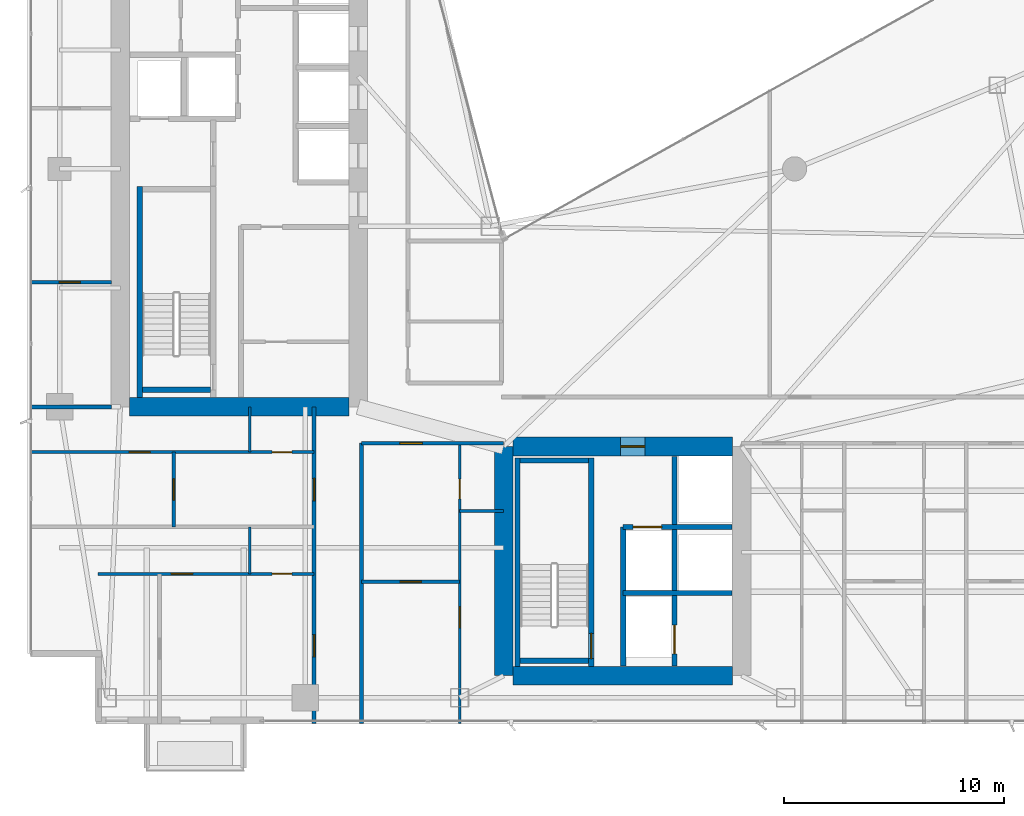
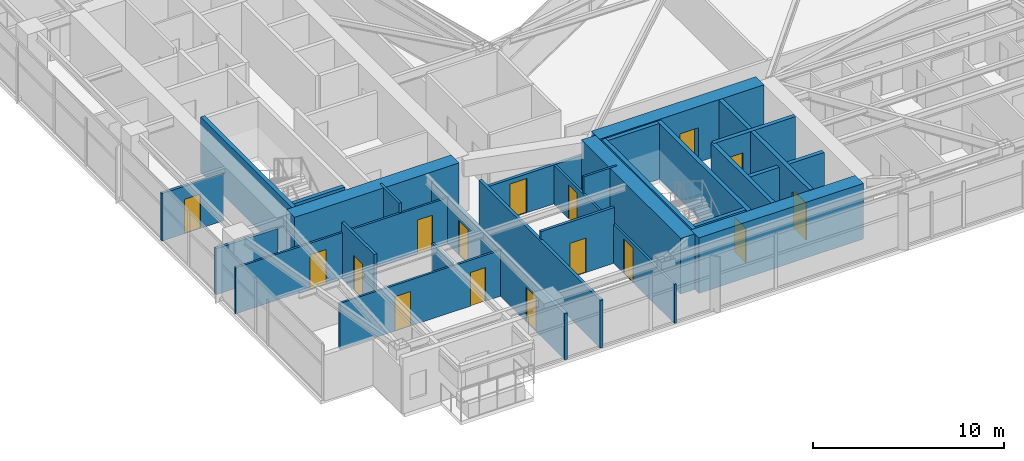
# One storey, part 22 of 29: 27 walls, 16 doors, 16 openings.
"""IFC4 building model written with IfcOpenShell, lengths in metres."""

from ifc_helpers import new_model, si_unit, direction, frame, frame_2d, origin, place, context, subcontext, project, spatial, rectangle, extrude, material, layer, layer_set, type_object, element, fill, save


model = new_model("IFC4")

# Units and contexts
model_context = context("Model", 3, precision=1e-05, world=origin(), true_north=direction((0.0, 1.0)))
body_context = subcontext(model_context, "Body", "Model", "MODEL_VIEW")
ifc_project = project(units=[si_unit("LENGTHUNIT", "METRE"), si_unit("AREAUNIT", "SQUARE_METRE"), si_unit("VOLUMEUNIT", "CUBIC_METRE"), si_unit("PLANEANGLEUNIT", "RADIAN"), si_unit("MASSUNIT", "GRAM", prefix="KILO")], contexts=[model_context])

# Site, building, storey
site_placement = place(None, origin())
site = spatial("IfcSite", under=ifc_project, at=site_placement, CompositionType="ELEMENT")
building_placement = place(site_placement, origin())
building = spatial("IfcBuilding", under=site, at=building_placement, Name="Calvorn Quay Hotel", CompositionType="ELEMENT")
storey_placement = place(building_placement, frame((0.0, 0.0, 167.5)))
storey = spatial("IfcBuildingStorey", under=building, at=storey_placement, Name="L41", CompositionType="ELEMENT", Elevation=167.5)

# Walls
ifc_material_1 = material(Name="Concrete C50", Category="concrete")
ifc_layer_1 = layer(ifc_material_1, 0.85009765625)
ifc_layer_set_1 = layer_set([ifc_layer_1], Name="WL-CORE-850")
wall_type_1 = type_object("IfcWallType", Name="WL-CORE-850", PredefinedType="SHEAR", material=ifc_layer_set_1)
wall_1_placement = place(storey_placement, frame((4.625, 16.800048828125, 0.0), z_axis=(0.0, 0.0, 1.0), x_axis=(1.0, 0.0, 0.0)))
element("IfcWall", 1, at=wall_1_placement, inside=storey, type_object=wall_type_1, Name="West Core Shear Wall S (L41)", PredefinedType="SHEAR", context=body_context, shape_type="SweptSolid", body=[
    extrude(rectangle(XDim=9.949951171875, YDim=0.85009765625, at=frame_2d((4.97509765625, 0.0))), origin(), (0.0, 0.0, 1.0), 3.56005859375),
])
wall_2_placement = place(storey_placement, frame((21.60009765625, 4.60009765625, 0.0), z_axis=(0.0, 0.0, 1.0), x_axis=(0.0, 1.0, 0.0)))
element("IfcWall", 2, at=wall_2_placement, inside=storey, type_object=wall_type_1, Name="East Core Shear Wall W (L41)", PredefinedType="SHEAR", context=body_context, shape_type="SweptSolid", body=[
    extrude(rectangle(XDim=10.39990234375, YDim=0.85009765625, at=frame_2d((5.199951171875, 0.0))), origin(), (0.0, 0.0, 1.0), 3.56005859375),
])

# Wall, opening, door
wall_3_placement = place(storey_placement, frame((22.02490234375, 15.0, 0.0), z_axis=(0.0, 0.0, 1.0), x_axis=(1.0, 0.0, 0.0)))
wall_3 = element("IfcWall", 3, at=wall_3_placement, inside=storey, type_object=wall_type_1, Name="East Core Shear Wall N (L41)", PredefinedType="SHEAR", context=body_context, shape_type="SweptSolid", body=[
    extrude(rectangle(XDim=9.9501953125, YDim=0.85009765625, at=frame_2d((4.97509765625, 0.0))), origin(), (0.0, 0.0, 1.0), 3.56005859375),
])
opening_1_placement = place(wall_3_placement, frame((4.8798828125, 0.0, 0.0)))
opening_1 = element("IfcOpeningElement", 4, at=opening_1_placement, cuts=wall_3, Name="Opening D-L41-FLE", PredefinedType="OPENING", context=body_context, shape_type="SweptSolid", body=[
    extrude(rectangle(XDim=1.10009765625, YDim=2.199951171875, at=frame_2d((0.550048828125, 1.10009765625))), frame((0.0, 0.43505859375, 0.0), z_axis=(0.0, -1.0, 0.0), x_axis=(1.0, 0.0, 0.0)), (0.0, 0.0, 1.0), 0.8701171875),
])
ifc_material_2 = material(Name="Smoke-Sealed Steel Class A Fire Door", Category="steel")
door_type_1 = type_object("IfcDoorType", Name="DR-FFLOBBY-1100", OperationType="NOTDEFINED", PredefinedType="DOOR", material=ifc_material_2)
door_1_placement = place(opening_1_placement, origin())
door_1 = element("IfcDoor", 5, at=door_1_placement, inside=storey, type_object=door_type_1, Name="East Firefighting Lobby Fire Door (L41)", OperationType="SINGLE_SWING_LEFT", OverallHeight=2.199951171875, OverallWidth=1.10009765625, PredefinedType="DOOR", context=body_context, shape_type="SweptSolid", body=[
    extrude(rectangle(XDim=1.10009765625, YDim=2.199951171875, at=frame_2d((0.550048828125, 1.10009765625))), frame((0.0, 0.02490234375, 0.0), z_axis=(0.0, -1.0, 0.0), x_axis=(1.0, 0.0, 0.0)), (0.0, 0.0, 1.0), 0.050048828125),
])
fill(opening_1, door_1)

# Walls
wall_4_placement = place(storey_placement, frame((22.02490234375, 4.60009765625, 0.0), z_axis=(0.0, 0.0, 1.0), x_axis=(1.0, 0.0, 0.0)))
element("IfcWall", 6, at=wall_4_placement, inside=storey, type_object=wall_type_1, Name="East Core Shear Wall S (L41)", PredefinedType="SHEAR", context=body_context, shape_type="SweptSolid", body=[
    extrude(rectangle(XDim=9.9501953125, YDim=0.85009765625, at=frame_2d((4.97509765625, 0.0))), origin(), (0.0, 0.0, 1.0), 3.56005859375),
])
ifc_material_3 = material(Name="Acoustic Fireboard Steel-Stud Partition", Category="steel")
ifc_layer_2 = layer(ifc_material_3, 0.179931640625)
ifc_layer_set_2 = layer_set([ifc_layer_2], Name="WL-CORR-FIRE-180")
wall_type_2 = type_object("IfcWallType", Name="WL-CORR-FIRE-180", PredefinedType="PARTITIONING", material=ifc_layer_set_2)
wall_5_placement = place(storey_placement, frame((0.080078125, 16.800048828125, 0.0), z_axis=(0.0, 0.0, 1.0), x_axis=(1.0, 0.0, 0.0)))
element("IfcWall", 7, at=wall_5_placement, inside=storey, type_object=wall_type_2, Name="Partition Wall L41-WL-WBAY-S-WALL", PredefinedType="PARTITIONING", context=body_context, shape_type="SweptSolid", body=[
    extrude(rectangle(XDim=3.724853515625, YDim=0.179931640625, at=frame_2d((1.8623046875, 0.0))), origin(), (0.0, 0.0, 1.0), 2.93994140625),
])

# Wall, openings, doors
wall_6_placement = place(storey_placement, frame((13.0, 2.43994140625, 0.0), z_axis=(0.0, 0.0, 1.0), x_axis=(0.0, 1.0, 0.0)))
wall_6 = element("IfcWall", 8, at=wall_6_placement, inside=storey, type_object=wall_type_2, Name="Partition Wall L41-WL-CORR-SW-LEG-W", PredefinedType="PARTITIONING", context=body_context, shape_type="SweptSolid", body=[
    extrude(rectangle(XDim=14.360107421875, YDim=0.179931640625, at=frame_2d((7.18017578125, 0.0))), origin(), (0.0, 0.0, 1.0), 2.93994140625),
])
opening_2_placement = place(wall_6_placement, frame((3.010009765625, 0.0, 0.0)))
opening_2 = element("IfcOpeningElement", 9, at=opening_2_placement, cuts=wall_6, Name="Opening D-L41-U01", PredefinedType="OPENING", context=body_context, shape_type="SweptSolid", body=[
    extrude(rectangle(XDim=1.02001953125, YDim=2.199951171875, at=frame_2d((0.510009765625, 1.10009765625))), frame((0.0, 0.099853515625, 0.0), z_axis=(0.0, -1.0, 0.0), x_axis=(1.0, 0.0, 0.0)), (0.0, 0.0, 1.0), 0.199951171875),
])
opening_3_placement = place(wall_6_placement, frame((10.10009765625, 0.0, 0.0)))
opening_3 = element("IfcOpeningElement", 10, at=opening_3_placement, cuts=wall_6, Name="Opening D-L41-U02", PredefinedType="OPENING", context=body_context, shape_type="SweptSolid", body=[
    extrude(rectangle(XDim=1.02001953125, YDim=2.199951171875, at=frame_2d((0.510009765625, 1.10009765625))), frame((0.0, 0.099853515625, 0.0), z_axis=(0.0, -1.0, 0.0), x_axis=(1.0, 0.0, 0.0)), (0.0, 0.0, 1.0), 0.199951171875),
])
ifc_material_4 = material(Name="Solid-Core Walnut Veneer Hotel Fire Door")
door_type_2 = type_object("IfcDoorType", Name="DR-GUEST-ENTRY-1020", OperationType="NOTDEFINED", PredefinedType="DOOR", material=ifc_material_4)
door_2_placement = place(opening_2_placement, origin())
door_2 = element("IfcDoor", 11, at=door_2_placement, inside=storey, type_object=door_type_2, Name="South-West Unit Door U01 (L41)", OperationType="SINGLE_SWING_LEFT", OverallHeight=2.199951171875, OverallWidth=1.02001953125, PredefinedType="DOOR", context=body_context, shape_type="SweptSolid", body=[
    extrude(rectangle(XDim=1.02001953125, YDim=2.199951171875, at=frame_2d((0.510009765625, 1.10009765625))), frame((0.0, 0.02490234375, 0.0), z_axis=(0.0, -1.0, 0.0), x_axis=(1.0, 0.0, 0.0)), (0.0, 0.0, 1.0), 0.050048828125),
])
fill(opening_2, door_2)
door_3_placement = place(opening_3_placement, origin())
door_3 = element("IfcDoor", 12, at=door_3_placement, inside=storey, type_object=door_type_2, Name="South-West Unit Door U02 (L41)", OperationType="SINGLE_SWING_RIGHT", OverallHeight=2.199951171875, OverallWidth=1.02001953125, PredefinedType="DOOR", context=body_context, shape_type="SweptSolid", body=[
    extrude(rectangle(XDim=1.02001953125, YDim=2.199951171875, at=frame_2d((0.510009765625, 1.10009765625))), frame((0.0, 0.02490234375, 0.0), z_axis=(0.0, -1.0, 0.0), x_axis=(1.0, 0.0, 0.0)), (0.0, 0.0, 1.0), 0.050048828125),
])
fill(opening_3, door_3)

# Wall
wall_7_placement = place(storey_placement, frame((15.14990234375, 2.43994140625, 0.0), z_axis=(0.0, 0.0, 1.0), x_axis=(0.0, 1.0, 0.0)))
element("IfcWall", 13, at=wall_7_placement, inside=storey, type_object=wall_type_2, Name="Partition Wall L41-WL-CORR-SW-W", PredefinedType="PARTITIONING", context=body_context, shape_type="SweptSolid", body=[
    extrude(rectangle(XDim=12.7099609375, YDim=0.179931640625, at=frame_2d((6.35498046875, 0.0))), origin(), (0.0, 0.0, 1.0), 3.0400390625),
])

# Wall, opening, door
wall_8_placement = place(storey_placement, frame((15.14990234375, 15.14990234375, 0.0), z_axis=(0.0, 0.0, 1.0), x_axis=(1.0, 0.0, 0.0)))
wall_8 = element("IfcWall", 14, at=wall_8_placement, inside=storey, type_object=wall_type_2, Name="Partition Wall L41-WL-SC-CORR-S", PredefinedType="PARTITIONING", context=body_context, shape_type="SweptSolid", body=[
    extrude(rectangle(XDim=6.4501953125, YDim=0.179931640625, at=frame_2d((3.22509765625, 0.0))), origin(), (0.0, 0.0, 1.0), 2.489990234375),
])
opening_4_placement = place(wall_8_placement, frame((1.739990234375, 0.0, 0.0)))
opening_4 = element("IfcOpeningElement", 15, at=opening_4_placement, cuts=wall_8, Name="Opening D-L41-U03", PredefinedType="OPENING", context=body_context, shape_type="SweptSolid", body=[
    extrude(rectangle(XDim=1.02001953125, YDim=2.199951171875, at=frame_2d((0.510009765625, 1.10009765625))), frame((0.0, 0.099853515625, 0.0), z_axis=(0.0, -1.0, 0.0), x_axis=(1.0, 0.0, 0.0)), (0.0, 0.0, 1.0), 0.199951171875),
])
door_4_placement = place(opening_4_placement, origin())
door_4 = element("IfcDoor", 16, at=door_4_placement, inside=storey, type_object=door_type_2, Name="Harbour Central Unit Door (L41)", OperationType="SINGLE_SWING_LEFT", OverallHeight=2.199951171875, OverallWidth=1.02001953125, PredefinedType="DOOR", context=body_context, shape_type="SweptSolid", body=[
    extrude(rectangle(XDim=1.02001953125, YDim=2.199951171875, at=frame_2d((0.510009765625, 1.10009765625))), frame((0.0, 0.02490234375, 0.0), z_axis=(0.0, -1.0, 0.0), x_axis=(1.0, 0.0, 0.0)), (0.0, 0.0, 1.0), 0.050048828125),
])
fill(opening_4, door_4)

# Wall
ifc_material_5 = material(Name="Moisture-Resistant Tile-Backed Partition")
ifc_layer_3 = layer(ifc_material_5, 0.125)
ifc_layer_set_3 = layer_set([ifc_layer_3], Name="WL-ENSUITE-125")
wall_type_3 = type_object("IfcWallType", Name="WL-ENSUITE-125", PredefinedType="PARTITIONING", material=ifc_layer_set_3)
wall_9_placement = place(storey_placement, frame((10.080078125, 9.219970703125, 0.0), z_axis=(0.0, 0.0, 1.0), x_axis=(0.0, 1.0, 0.0)))
element("IfcWall", 17, at=wall_9_placement, inside=storey, type_object=wall_type_3, Name="Partition Wall L41-WL-U01-BDV", PredefinedType="PARTITIONING", context=body_context, shape_type="SweptSolid", body=[
    extrude(rectangle(XDim=2.130126953125, YDim=0.125, at=frame_2d((1.06494140625, 0.0))), origin(), (0.0, 0.0, 1.0), 3.090087890625),
])

# Wall, openings, doors
wall_10_placement = place(storey_placement, frame((3.199951171875, 9.219970703125, 0.0), z_axis=(0.0, 0.0, 1.0), x_axis=(1.0, 0.0, 0.0)))
wall_10 = element("IfcWall", 18, at=wall_10_placement, inside=storey, type_object=wall_type_3, Name="Partition Wall L41-WL-U01-BH", PredefinedType="PARTITIONING", context=body_context, shape_type="SweptSolid", body=[
    extrude(rectangle(XDim=9.800048828125, YDim=0.125, at=frame_2d((4.89990234375, 0.0))), origin(), (0.0, 0.0, 1.0), 2.93994140625),
])
opening_5_placement = place(wall_10_placement, frame((3.320068359375, 0.0, 0.0)))
opening_5 = element("IfcOpeningElement", 19, at=opening_5_placement, cuts=wall_10, Name="Opening D-L41-S01", PredefinedType="OPENING", context=body_context, shape_type="SweptSolid", body=[
    extrude(rectangle(XDim=0.9599609375, YDim=2.199951171875, at=frame_2d((0.47998046875, 1.10009765625))), frame((0.0, 0.072509765625, 0.0), z_axis=(0.0, -1.0, 0.0), x_axis=(1.0, 0.0, 0.0)), (0.0, 0.0, 1.0), 0.14501953125),
])
opening_6_placement = place(wall_10_placement, frame((7.889892578125, 0.0, 0.0)))
opening_6 = element("IfcOpeningElement", 20, at=opening_6_placement, cuts=wall_10, Name="Opening D-L41-E01", PredefinedType="OPENING", context=body_context, shape_type="SweptSolid", body=[
    extrude(rectangle(XDim=0.89990234375, YDim=2.14990234375, at=frame_2d((0.449951171875, 1.074951171875))), frame((0.0, 0.072509765625, 0.0), z_axis=(0.0, -1.0, 0.0), x_axis=(1.0, 0.0, 0.0)), (0.0, 0.0, 1.0), 0.14501953125),
])
ifc_material_6 = material(Name="Moisture-Sealed Timber En-Suite Door", Category="wood")
door_type_3 = type_object("IfcDoorType", Name="DR-ENSUITE-900", OperationType="NOTDEFINED", PredefinedType="DOOR", material=ifc_material_6)
door_5_placement = place(opening_6_placement, origin())
door_5 = element("IfcDoor", 21, at=door_5_placement, inside=storey, type_object=door_type_3, Name="En-Suite Door 01", OperationType="SINGLE_SWING_RIGHT", OverallHeight=2.14990234375, OverallWidth=0.89990234375, PredefinedType="DOOR", context=body_context, shape_type="SweptSolid", body=[
    extrude(rectangle(XDim=0.89990234375, YDim=2.14990234375, at=frame_2d((0.449951171875, 1.074951171875))), frame((0.0, 0.02490234375, 0.0), z_axis=(0.0, -1.0, 0.0), x_axis=(1.0, 0.0, 0.0)), (0.0, 0.0, 1.0), 0.050048828125),
])
fill(opening_6, door_5)
ifc_material_7 = material(Name="Solid Timber Internal Suite Door", Category="wood")
door_type_4 = type_object("IfcDoorType", Name="DR-SUITE-INT-960", OperationType="NOTDEFINED", PredefinedType="DOOR", material=ifc_material_7)
door_6_placement = place(opening_5_placement, origin())
door_6 = element("IfcDoor", 22, at=door_6_placement, inside=storey, type_object=door_type_4, Name="Private Media Cinema Door 01", OperationType="SINGLE_SWING_LEFT", OverallHeight=2.199951171875, OverallWidth=0.9599609375, PredefinedType="DOOR", context=body_context, shape_type="SweptSolid", body=[
    extrude(rectangle(XDim=0.9599609375, YDim=2.199951171875, at=frame_2d((0.47998046875, 1.10009765625))), frame((0.0, 0.02490234375, 0.0), z_axis=(0.0, -1.0, 0.0), x_axis=(1.0, 0.0, 0.0)), (0.0, 0.0, 1.0), 0.050048828125),
])
fill(opening_5, door_6)

# Wall
wall_11_placement = place(storey_placement, frame((10.080078125, 14.75, 0.0), z_axis=(0.0, 0.0, 1.0), x_axis=(0.0, 1.0, 0.0)))
element("IfcWall", 23, at=wall_11_placement, inside=storey, type_object=wall_type_3, Name="Partition Wall L41-WL-U02-BDV", PredefinedType="PARTITIONING", context=body_context, shape_type="SweptSolid", body=[
    extrude(rectangle(XDim=2.050048828125, YDim=0.125, at=frame_2d((1.02490234375, 0.0))), origin(), (0.0, 0.0, 1.0), 3.56005859375),
])

# Wall, openings, doors
wall_12_placement = place(storey_placement, frame((0.080078125, 14.75, 0.0), z_axis=(0.0, 0.0, 1.0), x_axis=(1.0, 0.0, 0.0)))
wall_12 = element("IfcWall", 24, at=wall_12_placement, inside=storey, type_object=wall_type_3, Name="Partition Wall L41-WL-U02-BH", PredefinedType="PARTITIONING", context=body_context, shape_type="SweptSolid", body=[
    extrude(rectangle(XDim=12.919921875, YDim=0.125, at=frame_2d((6.4599609375, 0.0))), origin(), (0.0, 0.0, 1.0), 2.93994140625),
])
opening_7_placement = place(wall_12_placement, frame((4.52001953125, 0.0, 0.0)))
opening_7 = element("IfcOpeningElement", 25, at=opening_7_placement, cuts=wall_12, Name="Opening D-L41-S02", PredefinedType="OPENING", context=body_context, shape_type="SweptSolid", body=[
    extrude(rectangle(XDim=0.9599609375, YDim=2.199951171875, at=frame_2d((0.47998046875, 1.10009765625))), frame((0.0, 0.072509765625, 0.0), z_axis=(0.0, -1.0, 0.0), x_axis=(1.0, 0.0, 0.0)), (0.0, 0.0, 1.0), 0.14501953125),
])
opening_8_placement = place(wall_12_placement, frame((11.010009765625, 0.0, 0.0)))
opening_8 = element("IfcOpeningElement", 26, at=opening_8_placement, cuts=wall_12, Name="Opening D-L41-E02", PredefinedType="OPENING", context=body_context, shape_type="SweptSolid", body=[
    extrude(rectangle(XDim=0.89990234375, YDim=2.14990234375, at=frame_2d((0.449951171875, 1.074951171875))), frame((0.0, 0.072509765625, 0.0), z_axis=(0.0, -1.0, 0.0), x_axis=(1.0, 0.0, 0.0)), (0.0, 0.0, 1.0), 0.14501953125),
])
door_7_placement = place(opening_8_placement, origin())
door_7 = element("IfcDoor", 27, at=door_7_placement, inside=storey, type_object=door_type_3, Name="En-Suite Door 02", OperationType="SINGLE_SWING_RIGHT", OverallHeight=2.14990234375, OverallWidth=0.89990234375, PredefinedType="DOOR", context=body_context, shape_type="SweptSolid", body=[
    extrude(rectangle(XDim=0.89990234375, YDim=2.14990234375, at=frame_2d((0.449951171875, 1.074951171875))), frame((0.0, 0.02490234375, 0.0), z_axis=(0.0, -1.0, 0.0), x_axis=(1.0, 0.0, 0.0)), (0.0, 0.0, 1.0), 0.050048828125),
])
fill(opening_8, door_7)
door_8_placement = place(opening_7_placement, origin())
door_8 = element("IfcDoor", 28, at=door_8_placement, inside=storey, type_object=door_type_4, Name="Private Media Cinema Door 02", OperationType="SINGLE_SWING_LEFT", OverallHeight=2.199951171875, OverallWidth=0.9599609375, PredefinedType="DOOR", context=body_context, shape_type="SweptSolid", body=[
    extrude(rectangle(XDim=0.9599609375, YDim=2.199951171875, at=frame_2d((0.47998046875, 1.10009765625))), frame((0.0, 0.02490234375, 0.0), z_axis=(0.0, -1.0, 0.0), x_axis=(1.0, 0.0, 0.0)), (0.0, 0.0, 1.0), 0.050048828125),
])
fill(opening_7, door_8)

# Wall
wall_13_placement = place(storey_placement, frame((19.60009765625, 12.070068359375, 0.0), z_axis=(0.0, 0.0, 1.0), x_axis=(1.0, 0.0, 0.0)))
element("IfcWall", 29, at=wall_13_placement, inside=storey, type_object=wall_type_3, Name="Partition Wall L41-WL-U03-BDV", PredefinedType="PARTITIONING", context=body_context, shape_type="SweptSolid", body=[
    extrude(rectangle(XDim=2.0, YDim=0.125, at=frame_2d((1.0, 0.0))), origin(), (0.0, 0.0, 1.0), 3.56005859375),
])

# Wall, openings, doors
wall_14_placement = place(storey_placement, frame((19.60009765625, 2.43994140625, 0.0), z_axis=(0.0, 0.0, 1.0), x_axis=(0.0, 1.0, 0.0)))
wall_14 = element("IfcWall", 30, at=wall_14_placement, inside=storey, type_object=wall_type_3, Name="Partition Wall L41-WL-U03-BV", PredefinedType="PARTITIONING", context=body_context, shape_type="SweptSolid", body=[
    extrude(rectangle(XDim=12.7099609375, YDim=0.125, at=frame_2d((6.35498046875, 0.0))), origin(), (0.0, 0.0, 1.0), 2.489990234375),
])
opening_9_placement = place(wall_14_placement, frame((4.340087890625, 0.0, 0.0)))
opening_9 = element("IfcOpeningElement", 31, at=opening_9_placement, cuts=wall_14, Name="Opening D-L41-S03", PredefinedType="OPENING", context=body_context, shape_type="SweptSolid", body=[
    extrude(rectangle(XDim=0.9599609375, YDim=2.199951171875, at=frame_2d((0.47998046875, 1.10009765625))), frame((0.0, 0.072509765625, 0.0), z_axis=(0.0, -1.0, 0.0), x_axis=(1.0, 0.0, 0.0)), (0.0, 0.0, 1.0), 0.14501953125),
])
opening_10_placement = place(wall_14_placement, frame((10.179931640625, 0.0, 0.0)))
opening_10 = element("IfcOpeningElement", 32, at=opening_10_placement, cuts=wall_14, Name="Opening D-L41-E03", PredefinedType="OPENING", context=body_context, shape_type="SweptSolid", body=[
    extrude(rectangle(XDim=0.89990234375, YDim=2.14990234375, at=frame_2d((0.449951171875, 1.074951171875))), frame((0.0, 0.072509765625, 0.0), z_axis=(0.0, -1.0, 0.0), x_axis=(1.0, 0.0, 0.0)), (0.0, 0.0, 1.0), 0.14501953125),
])
door_9_placement = place(opening_10_placement, origin())
door_9 = element("IfcDoor", 33, at=door_9_placement, inside=storey, type_object=door_type_3, Name="En-Suite Door 03", OperationType="SINGLE_SWING_RIGHT", OverallHeight=2.14990234375, OverallWidth=0.89990234375, PredefinedType="DOOR", context=body_context, shape_type="SweptSolid", body=[
    extrude(rectangle(XDim=0.89990234375, YDim=2.14990234375, at=frame_2d((0.449951171875, 1.074951171875))), frame((0.0, 0.02490234375, 0.0), z_axis=(0.0, -1.0, 0.0), x_axis=(1.0, 0.0, 0.0)), (0.0, 0.0, 1.0), 0.050048828125),
])
fill(opening_10, door_9)
door_10_placement = place(opening_9_placement, origin())
door_10 = element("IfcDoor", 34, at=door_10_placement, inside=storey, type_object=door_type_4, Name="Private Media Cinema Door 03", OperationType="SINGLE_SWING_LEFT", OverallHeight=2.199951171875, OverallWidth=0.9599609375, PredefinedType="DOOR", context=body_context, shape_type="SweptSolid", body=[
    extrude(rectangle(XDim=0.9599609375, YDim=2.199951171875, at=frame_2d((0.47998046875, 1.10009765625))), frame((0.0, 0.02490234375, 0.0), z_axis=(0.0, -1.0, 0.0), x_axis=(1.0, 0.0, 0.0)), (0.0, 0.0, 1.0), 0.050048828125),
])
fill(opening_9, door_10)

# Wall, opening, door
ifc_material_8 = material(Name="Double-Stud Acoustic Gypsum Partition")
ifc_layer_4 = layer(ifc_material_8, 0.159912109375)
ifc_layer_set_4 = layer_set([ifc_layer_4], Name="WL-INTERSUITE-160")
wall_type_4 = type_object("IfcWallType", Name="WL-INTERSUITE-160", PredefinedType="PARTITIONING", material=ifc_layer_set_4)
wall_15_placement = place(storey_placement, frame((0.080078125, 22.449951171875, 0.0), z_axis=(0.0, 0.0, 1.0), x_axis=(1.0, 0.0, 0.0)))
wall_15 = element("IfcWall", 35, at=wall_15_placement, inside=storey, type_object=wall_type_4, Name="Partition Wall L41-WL-WBAY-DIVA", PredefinedType="PARTITIONING", context=body_context, shape_type="SweptSolid", body=[
    extrude(rectangle(XDim=3.724853515625, YDim=0.159912109375, at=frame_2d((1.8623046875, 0.0))), origin(), (0.0, 0.0, 1.0), 3.0400390625),
])
opening_11_placement = place(wall_15_placement, frame((1.35009765625, 0.0, 0.0)))
opening_11 = element("IfcOpeningElement", 36, at=opening_11_placement, cuts=wall_15, Name="Opening D-L41-WBA", PredefinedType="OPENING", context=body_context, shape_type="SweptSolid", body=[
    extrude(rectangle(XDim=0.9599609375, YDim=2.199951171875, at=frame_2d((0.47998046875, 1.10009765625))), frame((0.0, 0.08984375, 0.0), z_axis=(0.0, -1.0, 0.0), x_axis=(1.0, 0.0, 0.0)), (0.0, 0.0, 1.0), 0.179931640625),
])
door_11_placement = place(opening_11_placement, origin())
door_11 = element("IfcDoor", 37, at=door_11_placement, inside=storey, type_object=door_type_4, Name="West South Connecting Door (L41)", OperationType="SINGLE_SWING_LEFT", OverallHeight=2.199951171875, OverallWidth=0.9599609375, PredefinedType="DOOR", context=body_context, shape_type="SweptSolid", body=[
    extrude(rectangle(XDim=0.9599609375, YDim=2.199951171875, at=frame_2d((0.47998046875, 1.10009765625))), frame((0.0, 0.02490234375, 0.0), z_axis=(0.0, -1.0, 0.0), x_axis=(1.0, 0.0, 0.0)), (0.0, 0.0, 1.0), 0.050048828125),
])
fill(opening_11, door_11)

wall_16_placement = place(storey_placement, frame((6.6201171875, 11.35009765625, 0.0), z_axis=(0.0, 0.0, 1.0), x_axis=(0.0, 1.0, 0.0)))
wall_16 = element("IfcWall", 38, at=wall_16_placement, inside=storey, type_object=wall_type_4, Name="Partition Wall L41-WL-U02-MSP", PredefinedType="PARTITIONING", context=body_context, shape_type="SweptSolid", body=[
    extrude(rectangle(XDim=3.39990234375, YDim=0.159912109375, at=frame_2d((1.699951171875, 0.0))), origin(), (0.0, 0.0, 1.0), 3.56005859375),
])
opening_12_placement = place(wall_16_placement, frame((1.219970703125, 0.0, 0.0)))
opening_12 = element("IfcOpeningElement", 39, at=opening_12_placement, cuts=wall_16, Name="Opening D-L41-M02", PredefinedType="OPENING", context=body_context, shape_type="SweptSolid", body=[
    extrude(rectangle(XDim=0.9599609375, YDim=2.199951171875, at=frame_2d((0.47998046875, 1.10009765625))), frame((0.0, 0.08984375, 0.0), z_axis=(0.0, -1.0, 0.0), x_axis=(1.0, 0.0, 0.0)), (0.0, 0.0, 1.0), 0.179931640625),
])
door_12_placement = place(opening_12_placement, origin())
door_12 = element("IfcDoor", 40, at=door_12_placement, inside=storey, type_object=door_type_4, Name="Suite Bedroom Door 02", OperationType="SINGLE_SWING_LEFT", OverallHeight=2.199951171875, OverallWidth=0.9599609375, PredefinedType="DOOR", context=body_context, shape_type="SweptSolid", body=[
    extrude(rectangle(XDim=0.9599609375, YDim=2.199951171875, at=frame_2d((0.47998046875, 1.10009765625))), frame((0.0, 0.02490234375, 0.0), z_axis=(0.0, -1.0, 0.0), x_axis=(1.0, 0.0, 0.0)), (0.0, 0.0, 1.0), 0.050048828125),
])
fill(opening_12, door_12)

wall_17_placement = place(storey_placement, frame((15.14990234375, 8.8701171875, 0.0), z_axis=(0.0, 0.0, 1.0), x_axis=(1.0, 0.0, 0.0)))
wall_17 = element("IfcWall", 41, at=wall_17_placement, inside=storey, type_object=wall_type_4, Name="Partition Wall L41-WL-U03-MSP", PredefinedType="PARTITIONING", context=body_context, shape_type="SweptSolid", body=[
    extrude(rectangle(XDim=4.4501953125, YDim=0.159912109375, at=frame_2d((2.22509765625, 0.0))), origin(), (0.0, 0.0, 1.0), 3.56005859375),
])
opening_13_placement = place(wall_17_placement, frame((1.75, 0.0, 0.0)))
opening_13 = element("IfcOpeningElement", 42, at=opening_13_placement, cuts=wall_17, Name="Opening D-L41-M03", PredefinedType="OPENING", context=body_context, shape_type="SweptSolid", body=[
    extrude(rectangle(XDim=0.9599609375, YDim=2.199951171875, at=frame_2d((0.47998046875, 1.10009765625))), frame((0.0, 0.08984375, 0.0), z_axis=(0.0, -1.0, 0.0), x_axis=(1.0, 0.0, 0.0)), (0.0, 0.0, 1.0), 0.179931640625),
])
door_13_placement = place(opening_13_placement, origin())
door_13 = element("IfcDoor", 43, at=door_13_placement, inside=storey, type_object=door_type_4, Name="Suite Bedroom Door 03", OperationType="SINGLE_SWING_LEFT", OverallHeight=2.199951171875, OverallWidth=0.9599609375, PredefinedType="DOOR", context=body_context, shape_type="SweptSolid", body=[
    extrude(rectangle(XDim=0.9599609375, YDim=2.199951171875, at=frame_2d((0.47998046875, 1.10009765625))), frame((0.0, 0.02490234375, 0.0), z_axis=(0.0, -1.0, 0.0), x_axis=(1.0, 0.0, 0.0)), (0.0, 0.0, 1.0), 0.050048828125),
])
fill(opening_13, door_13)

# Walls
ifc_material_9 = material(Name="Concrete C40", Category="concrete")
ifc_layer_5 = layer(ifc_material_9, 0.239990234375)
ifc_layer_set_5 = layer_set([ifc_layer_5], Name="WL-SHAFT-240")
wall_type_5 = type_object("IfcWallType", Name="WL-SHAFT-240", PredefinedType="SOLIDWALL", material=ifc_layer_set_5)
wall_18_placement = place(storey_placement, frame((5.080078125, 17.22509765625, 0.0), z_axis=(0.0, 0.0, 1.0), x_axis=(0.0, 1.0, 0.0)))
element("IfcWall", 44, at=wall_18_placement, inside=storey, type_object=wall_type_5, Name="Stair STW Shaft Wall W (L41)", PredefinedType="SOLIDWALL", context=body_context, shape_type="SweptSolid", body=[
    extrude(rectangle(XDim=9.56494140625, YDim=0.239990234375, at=frame_2d((4.782470703125, 0.0))), origin(), (0.0, 0.0, 1.0), 3.56005859375),
])
wall_19_placement = place(storey_placement, frame((5.199951171875, 17.580078125, 0.0), z_axis=(0.0, 0.0, 1.0), x_axis=(1.0, 0.0, 0.0)))
element("IfcWall", 45, at=wall_19_placement, inside=storey, type_object=wall_type_5, Name="Stair STW Shaft Wall S (L41)", PredefinedType="SOLIDWALL", context=body_context, shape_type="SweptSolid", body=[
    extrude(rectangle(XDim=3.10009765625, YDim=0.239990234375, at=frame_2d((1.550048828125, 0.0))), origin(), (0.0, 0.0, 1.0), 3.56005859375),
])
wall_20_placement = place(storey_placement, frame((22.22998046875, 5.02490234375, 0.0), z_axis=(0.0, 0.0, 1.0), x_axis=(0.0, 1.0, 0.0)))
element("IfcWall", 46, at=wall_20_placement, inside=storey, type_object=wall_type_5, Name="Stair STE Shaft Wall W (L41)", PredefinedType="SOLIDWALL", context=body_context, shape_type="SweptSolid", body=[
    extrude(rectangle(XDim=9.465087890625, YDim=0.239990234375, at=frame_2d((4.732421875, 0.0))), origin(), (0.0, 0.0, 1.0), 3.56005859375),
])

# Wall, opening, door
wall_21_placement = place(storey_placement, frame((25.570068359375, 5.02490234375, 0.0), z_axis=(0.0, 0.0, 1.0), x_axis=(0.0, 1.0, 0.0)))
wall_21 = element("IfcWall", 47, at=wall_21_placement, inside=storey, type_object=wall_type_5, Name="Stair STE Shaft Wall E (L41)", PredefinedType="SOLIDWALL", context=body_context, shape_type="SweptSolid", body=[
    extrude(rectangle(XDim=9.465087890625, YDim=0.239990234375, at=frame_2d((4.732421875, 0.0))), origin(), (0.0, 0.0, 1.0), 3.56005859375),
])
opening_14_placement = place(wall_21_placement, frame((0.35009765625, 0.0, 0.0)))
opening_14 = element("IfcOpeningElement", 48, at=opening_14_placement, cuts=wall_21, Name="Opening D-L41-STE", PredefinedType="OPENING", context=body_context, shape_type="SweptSolid", body=[
    extrude(rectangle(XDim=1.14990234375, YDim=2.199951171875, at=frame_2d((0.574951171875, 1.10009765625))), frame((0.0, 0.1298828125, 0.0), z_axis=(0.0, -1.0, 0.0), x_axis=(1.0, 0.0, 0.0)), (0.0, 0.0, 1.0), 0.260009765625),
])
ifc_material_10 = material(Name="Galvanised Steel Class A Fire Door", Category="steel")
door_type_5 = type_object("IfcDoorType", Name="DR-STAIR-SMOKE-1150", OperationType="NOTDEFINED", PredefinedType="DOOR", material=ifc_material_10)
door_14_placement = place(opening_14_placement, origin())
door_14 = element("IfcDoor", 49, at=door_14_placement, inside=storey, type_object=door_type_5, Name="Stair ST-E Fire Door (L41)", OperationType="SINGLE_SWING_RIGHT", OverallHeight=2.199951171875, OverallWidth=1.14990234375, PredefinedType="DOOR", context=body_context, shape_type="SweptSolid", body=[
    extrude(rectangle(XDim=1.14990234375, YDim=2.199951171875, at=frame_2d((0.574951171875, 1.10009765625))), frame((0.0, 0.02490234375, 0.0), z_axis=(0.0, -1.0, 0.0), x_axis=(1.0, 0.0, 0.0)), (0.0, 0.0, 1.0), 0.050048828125),
])
fill(opening_14, door_14)

# Walls
for number, where, z_axis, x_axis, name in (
    (50, (22.35009765625, 5.280029296875, 0.0), (0.0, 0.0, 1.0), (1.0, 0.0, 0.0), "Stair STE Shaft Wall S (L41)"),
    (51, (22.35009765625, 14.3701171875, 0.0), (0.0, 0.0, 1.0), (1.0, 0.0, 0.0), "Stair STE Shaft Wall N (L41)"),
):
    element("IfcWall", number, at=place(storey_placement, frame(where, z_axis=z_axis, x_axis=x_axis)), inside=storey, type_object=wall_type_5, Name=name, PredefinedType="SOLIDWALL", context=body_context, shape_type="SweptSolid", body=[
        extrude(rectangle(XDim=3.099853515625, YDim=0.239990234375, at=frame_2d((1.5498046875, 0.0))), origin(), (0.0, 0.0, 1.0), 3.56005859375),
    ])
wall_22_placement = place(storey_placement, frame((27.02001953125, 5.044921875, 0.0), z_axis=(0.0, 0.0, 1.0), x_axis=(0.0, 1.0, 0.0)))
element("IfcWall", 52, at=wall_22_placement, inside=storey, type_object=wall_type_5, Name="Partition Wall L41-WL-CWE-SH-W", PredefinedType="SOLIDWALL", context=body_context, shape_type="SweptSolid", body=[
    extrude(rectangle(XDim=6.30517578125, YDim=0.239990234375, at=frame_2d((3.152587890625, 0.0))), origin(), (0.0, 0.0, 1.0), 3.56005859375),
])

# Wall, opening, door
wall_23_placement = place(storey_placement, frame((27.02001953125, 11.35009765625, 0.0), z_axis=(0.0, 0.0, 1.0), x_axis=(1.0, 0.0, 0.0)))
wall_23 = element("IfcWall", 53, at=wall_23_placement, inside=storey, type_object=wall_type_5, Name="Partition Wall L41-WL-CWE-FFL-S", PredefinedType="SOLIDWALL", context=body_context, shape_type="SweptSolid", body=[
    extrude(rectangle(XDim=4.93505859375, YDim=0.239990234375, at=frame_2d((2.467529296875, 0.0))), origin(), (0.0, 0.0, 1.0), 3.56005859375),
])
opening_15_placement = place(wall_23_placement, frame((0.449951171875, 0.0, 0.0)))
opening_15 = element("IfcOpeningElement", 54, at=opening_15_placement, cuts=wall_23, Name="Opening LD-L41-FLE1", PredefinedType="OPENING", context=body_context, shape_type="SweptSolid", body=[
    extrude(rectangle(XDim=1.300048828125, YDim=2.35009765625, at=frame_2d((0.64990234375, 1.175048828125))), frame((0.0, 0.1298828125, 0.0), z_axis=(0.0, -1.0, 0.0), x_axis=(1.0, 0.0, 0.0)), (0.0, 0.0, 1.0), 0.260009765625),
])
ifc_material_11 = material(Name="Champagne-Bronze Sliding Express Lift Landing Door")
door_type_6 = type_object("IfcDoorType", Name="DR-LIFT-SHUTTLE-1300", OperationType="NOTDEFINED", PredefinedType="DOOR", material=ifc_material_11)
door_15_placement = place(opening_15_placement, origin())
door_15 = element("IfcDoor", 55, at=door_15_placement, inside=storey, type_object=door_type_6, Name="Firefighting Lift FL-E1 Landing Door (L41)", OperationType="DOUBLE_DOOR_SLIDING", OverallHeight=2.35009765625, OverallWidth=1.300048828125, PredefinedType="DOOR", context=body_context, shape_type="SweptSolid", body=[
    extrude(rectangle(XDim=1.300048828125, YDim=2.35009765625, at=frame_2d((0.64990234375, 1.175048828125))), frame((0.0, 0.02490234375, 0.0), z_axis=(0.0, -1.0, 0.0), x_axis=(1.0, 0.0, 0.0)), (0.0, 0.0, 1.0), 0.050048828125),
])
fill(opening_15, door_15)

# Wall
wall_24_placement = place(storey_placement, frame((27.02001953125, 8.35009765625, 0.0), z_axis=(0.0, 0.0, 1.0), x_axis=(1.0, 0.0, 0.0)))
element("IfcWall", 56, at=wall_24_placement, inside=storey, type_object=wall_type_5, Name="Partition Wall L41-WL-CWE-SL-N", PredefinedType="SOLIDWALL", context=body_context, shape_type="SweptSolid", body=[
    extrude(rectangle(XDim=4.93505859375, YDim=0.239990234375, at=frame_2d((2.467529296875, 0.0))), origin(), (0.0, 0.0, 1.0), 3.090087890625),
])

# Wall, opening, door
wall_25_placement = place(storey_placement, frame((29.35009765625, 5.044921875, 0.0), z_axis=(0.0, 0.0, 1.0), x_axis=(0.0, 1.0, 0.0)))
wall_25 = element("IfcWall", 57, at=wall_25_placement, inside=storey, type_object=wall_type_5, Name="Partition Wall L41-WL-CWE-OB-W", PredefinedType="SOLIDWALL", context=body_context, shape_type="SweptSolid", body=[
    extrude(rectangle(XDim=9.510009765625, YDim=0.239990234375, at=frame_2d((4.7548828125, 0.0))), origin(), (0.0, 0.0, 1.0), 3.56005859375),
])
opening_16_placement = place(wall_25_placement, frame((0.550048828125, 0.0, 0.0)))
opening_16 = element("IfcOpeningElement", 58, at=opening_16_placement, cuts=wall_25, Name="Opening LD-L41-SLEI", PredefinedType="OPENING", context=body_context, shape_type="SweptSolid", body=[
    extrude(rectangle(XDim=1.300048828125, YDim=2.35009765625, at=frame_2d((0.64990234375, 1.175048828125))), frame((0.0, 0.1298828125, 0.0), z_axis=(0.0, -1.0, 0.0), x_axis=(1.0, 0.0, 0.0)), (0.0, 0.0, 1.0), 0.260009765625),
])
door_16_placement = place(opening_16_placement, origin())
door_16 = element("IfcDoor", 59, at=door_16_placement, inside=storey, type_object=door_type_6, Name="Service Lift SL-E1 Landing Door (L41)", OperationType="DOUBLE_DOOR_SLIDING", OverallHeight=2.35009765625, OverallWidth=1.300048828125, PredefinedType="DOOR", context=body_context, shape_type="SweptSolid", body=[
    extrude(rectangle(XDim=1.300048828125, YDim=2.35009765625, at=frame_2d((0.64990234375, 1.175048828125))), frame((0.0, 0.02490234375, 0.0), z_axis=(0.0, -1.0, 0.0), x_axis=(1.0, 0.0, 0.0)), (0.0, 0.0, 1.0), 0.050048828125),
])
fill(opening_16, door_16)

save(model, "model.ifc")
